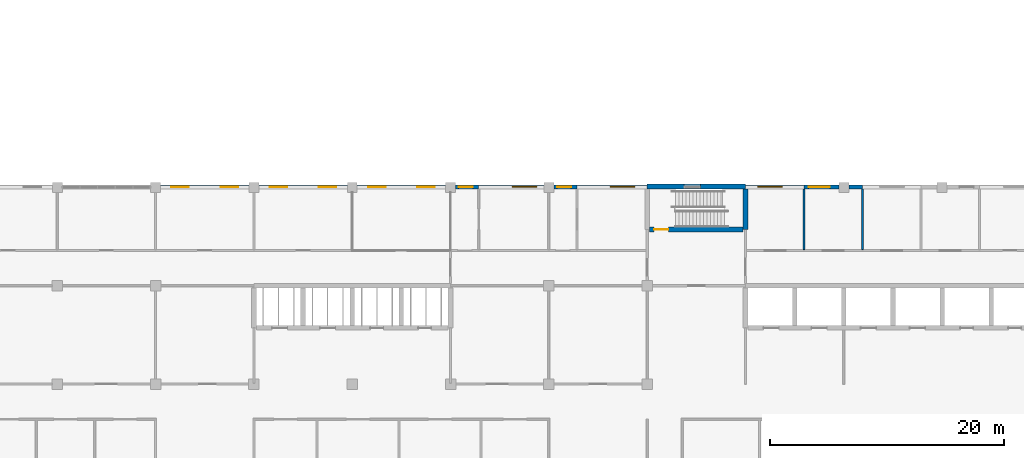
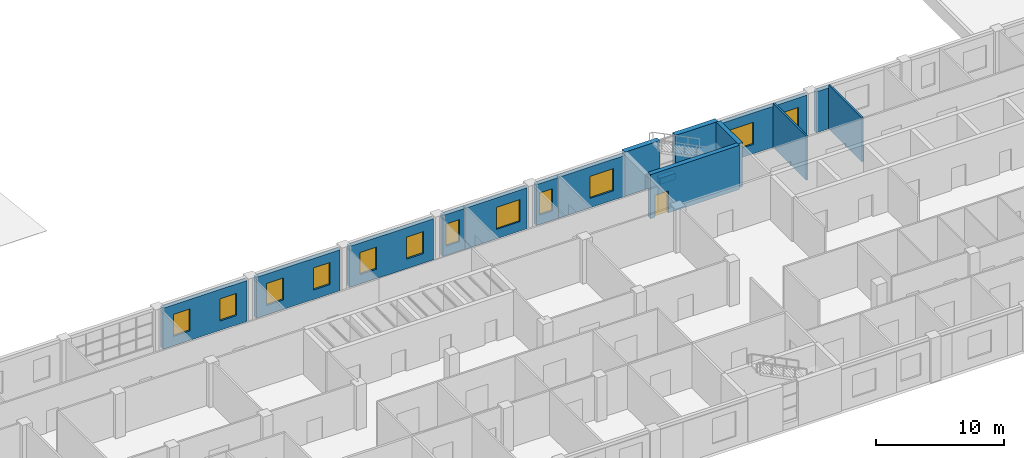
# One storey, part 41 of 66: 17 walls, 12 windows, 1 door, 13 openings.
"""IFC4 building model written with IfcOpenShell, lengths in metres."""

from ifc_helpers import new_model, si_unit, direction, frame, frame_2d, origin, place, context, subcontext, project, spatial, rectangle, extrude, material, layer, layer_set, type_object, element, fill, save


model = new_model("IFC4")

# Units and contexts
model_context = context("Model", 3, precision=1e-05, world=origin(), true_north=direction((0.0, 1.0)))
body_context = subcontext(model_context, "Body", "Model", "MODEL_VIEW")
ifc_project = project(units=[si_unit("LENGTHUNIT", "METRE"), si_unit("AREAUNIT", "SQUARE_METRE"), si_unit("VOLUMEUNIT", "CUBIC_METRE"), si_unit("PLANEANGLEUNIT", "RADIAN"), si_unit("MASSUNIT", "GRAM", prefix="KILO")], contexts=[model_context])

# Site, building, storey
site_placement = place(None, origin())
site = spatial("IfcSite", under=ifc_project, at=site_placement, CompositionType="ELEMENT")
building_placement = place(site_placement, origin())
building = spatial("IfcBuilding", under=site, at=building_placement, Name="Yavir Park General Hospital", CompositionType="ELEMENT")
storey_placement = place(building_placement, frame((0.0, 0.0, 8.39990234375)))
storey = spatial("IfcBuildingStorey", under=building, at=storey_placement, Name="L02", CompositionType="ELEMENT", Elevation=8.39990234375)

# Walls
ifc_material_1 = material(Name="Gypsum board partition on steel studs", Category="steel")
ifc_layer_1 = layer(ifc_material_1, 0.14990234375)
ifc_layer_set_1 = layer_set([ifc_layer_1], Name="Gypsum board partition on steel studs")
wall_type_1 = type_object("IfcWallType", Name="Gypsum board partition 150", PredefinedType="PARTITIONING", material=ifc_layer_set_1)
for number, where, z_axis, x_axis, name in (
    (1, (122.60009765625, 28.27490234375, 0.0), (0.0, 0.0, 1.0), (0.0, 1.0, 0.0), "P15 L02-296"),
    (2, (127.60009765625, 28.27490234375, 0.0), (0.0, 0.0, 1.0), (0.0, 1.0, 0.0), "P15 L02-301"),
):
    element("IfcWall", number, at=place(storey_placement, frame(where, z_axis=z_axis, x_axis=x_axis)), inside=storey, type_object=wall_type_1, Name=name, PredefinedType="PARTITIONING", context=body_context, shape_type="SweptSolid", body=[
        extrude(rectangle(XDim=5.175048828125, YDim=0.14990234375, at=frame_2d((2.58740234375, 0.0))), origin(), (0.0, 0.0, 1.0), 4.2001953125),
    ])

# Wall, openings, windows
ifc_material_2 = material(Name="Autoclaved aerated block, 150 mm mineral wool and sand-coloured mineral render")
ifc_layer_2 = layer(ifc_material_2, 0.375)
ifc_layer_set_2 = layer_set([ifc_layer_2], Name="Autoclaved aerated block, 150 mm mineral wool and sand-coloured mineral render")
wall_type_2 = type_object("IfcWallType", Name="Mineral render clinical wall 375, E 30", PredefinedType="SOLIDWALL", material=ifc_layer_set_2)
wall_1_placement = place(storey_placement, frame((67.625, 33.637451171875, 0.0), z_axis=(0.0, 0.0, 1.0), x_axis=(1.0, 0.0, 0.0)))
wall_1 = element("IfcWall", 3, at=wall_1_placement, inside=storey, type_object=wall_type_2, Name="XW1 L02-053", PredefinedType="SOLIDWALL", context=body_context, shape_type="SweptSolid", body=[
    extrude(rectangle(XDim=7.550048828125, YDim=0.375, at=frame_2d((3.77490234375, 0.0))), origin(), (0.0, 0.0, 1.0), 3.900146484375),
])
opening_1_placement = place(wall_1_placement, frame((0.925048828125, 0.0, 0.89990234375)))
opening_1 = element("IfcOpeningElement", 4, at=opening_1_placement, cuts=wall_1, Name="Opening WC2", PredefinedType="OPENING", context=body_context, shape_type="SweptSolid", body=[
    extrude(rectangle(XDim=1.5, YDim=2.10009765625, at=frame_2d((0.75, 1.050048828125))), frame((0.0, 0.197509765625, 0.0), z_axis=(0.0, -1.0, 0.0), x_axis=(1.0, 0.0, 0.0)), (0.0, 0.0, 1.0), 0.39501953125),
])
opening_2_placement = place(wall_1_placement, frame((5.125, 0.0, 0.89990234375)))
opening_2 = element("IfcOpeningElement", 5, at=opening_2_placement, cuts=wall_1, Name="Opening WC2", PredefinedType="OPENING", context=body_context, shape_type="SweptSolid", body=[
    extrude(rectangle(XDim=1.5, YDim=2.10009765625, at=frame_2d((0.75, 1.050048828125))), frame((0.0, 0.197509765625, 0.0), z_axis=(0.0, -1.0, 0.0), x_axis=(1.0, 0.0, 0.0)), (0.0, 0.0, 1.0), 0.39501953125),
])
ifc_material_3 = material(Name="Aluminium frame, double glazed unit", Category="aluminium")
window_type_1 = type_object("IfcWindowType", Name="Tall consulting room window 1500 x 2100", PartitioningType="SINGLE_PANEL", PredefinedType="WINDOW", material=ifc_material_3)
window_1_placement = place(opening_1_placement, origin())
window_1 = element("IfcWindow", 6, at=window_1_placement, inside=storey, type_object=window_type_1, Name="WC2 L02-026", OverallHeight=2.10009765625, OverallWidth=1.5, PartitioningType="SINGLE_PANEL", PredefinedType="WINDOW", context=body_context, shape_type="SweptSolid", body=[
    extrude(rectangle(XDim=1.5, YDim=2.10009765625, at=frame_2d((0.75, 1.050048828125))), frame((0.0, 0.030029296875, 0.0), z_axis=(0.0, -1.0, 0.0), x_axis=(1.0, 0.0, 0.0)), (0.0, 0.0, 1.0), 0.06005859375),
])
fill(opening_1, window_1)
window_2_placement = place(opening_2_placement, origin())
window_2 = element("IfcWindow", 7, at=window_2_placement, inside=storey, type_object=window_type_1, Name="WC2 L02-027", OverallHeight=2.10009765625, OverallWidth=1.5, PartitioningType="SINGLE_PANEL", PredefinedType="WINDOW", context=body_context, shape_type="SweptSolid", body=[
    extrude(rectangle(XDim=1.5, YDim=2.10009765625, at=frame_2d((0.75, 1.050048828125))), frame((0.0, 0.030029296875, 0.0), z_axis=(0.0, -1.0, 0.0), x_axis=(1.0, 0.0, 0.0)), (0.0, 0.0, 1.0), 0.06005859375),
])
fill(opening_2, window_2)

wall_2_placement = place(storey_placement, frame((76.02490234375, 33.637451171875, 0.0), z_axis=(0.0, 0.0, 1.0), x_axis=(1.0, 0.0, 0.0)))
wall_2 = element("IfcWall", 8, at=wall_2_placement, inside=storey, type_object=wall_type_2, Name="XW1 L02-054", PredefinedType="SOLIDWALL", context=body_context, shape_type="SweptSolid", body=[
    extrude(rectangle(XDim=7.550048828125, YDim=0.375, at=frame_2d((3.77490234375, 0.0))), origin(), (0.0, 0.0, 1.0), 3.900146484375),
])
opening_3_placement = place(wall_2_placement, frame((0.925048828125, 0.0, 0.89990234375)))
opening_3 = element("IfcOpeningElement", 9, at=opening_3_placement, cuts=wall_2, Name="Opening WC2", PredefinedType="OPENING", context=body_context, shape_type="SweptSolid", body=[
    extrude(rectangle(XDim=1.5, YDim=2.10009765625, at=frame_2d((0.75, 1.050048828125))), frame((0.0, 0.197509765625, 0.0), z_axis=(0.0, -1.0, 0.0), x_axis=(1.0, 0.0, 0.0)), (0.0, 0.0, 1.0), 0.39501953125),
])
opening_4_placement = place(wall_2_placement, frame((5.125, 0.0, 0.89990234375)))
opening_4 = element("IfcOpeningElement", 10, at=opening_4_placement, cuts=wall_2, Name="Opening WC2", PredefinedType="OPENING", context=body_context, shape_type="SweptSolid", body=[
    extrude(rectangle(XDim=1.5, YDim=2.10009765625, at=frame_2d((0.75, 1.050048828125))), frame((0.0, 0.197509765625, 0.0), z_axis=(0.0, -1.0, 0.0), x_axis=(1.0, 0.0, 0.0)), (0.0, 0.0, 1.0), 0.39501953125),
])
window_3_placement = place(opening_3_placement, origin())
window_3 = element("IfcWindow", 11, at=window_3_placement, inside=storey, type_object=window_type_1, Name="WC2 L02-028", OverallHeight=2.10009765625, OverallWidth=1.5, PartitioningType="SINGLE_PANEL", PredefinedType="WINDOW", context=body_context, shape_type="SweptSolid", body=[
    extrude(rectangle(XDim=1.5, YDim=2.10009765625, at=frame_2d((0.75, 1.050048828125))), frame((0.0, 0.030029296875, 0.0), z_axis=(0.0, -1.0, 0.0), x_axis=(1.0, 0.0, 0.0)), (0.0, 0.0, 1.0), 0.06005859375),
])
fill(opening_3, window_3)
window_4_placement = place(opening_4_placement, origin())
window_4 = element("IfcWindow", 12, at=window_4_placement, inside=storey, type_object=window_type_1, Name="WC2 L02-029", OverallHeight=2.10009765625, OverallWidth=1.5, PartitioningType="SINGLE_PANEL", PredefinedType="WINDOW", context=body_context, shape_type="SweptSolid", body=[
    extrude(rectangle(XDim=1.5, YDim=2.10009765625, at=frame_2d((0.75, 1.050048828125))), frame((0.0, 0.030029296875, 0.0), z_axis=(0.0, -1.0, 0.0), x_axis=(1.0, 0.0, 0.0)), (0.0, 0.0, 1.0), 0.06005859375),
])
fill(opening_4, window_4)

wall_3_placement = place(storey_placement, frame((84.425048828125, 33.637451171875, 0.0), z_axis=(0.0, 0.0, 1.0), x_axis=(1.0, 0.0, 0.0)))
wall_3 = element("IfcWall", 13, at=wall_3_placement, inside=storey, type_object=wall_type_2, Name="XW1 L02-055", PredefinedType="SOLIDWALL", context=body_context, shape_type="SweptSolid", body=[
    extrude(rectangle(XDim=7.550048828125, YDim=0.375, at=frame_2d((3.77490234375, 0.0))), origin(), (0.0, 0.0, 1.0), 3.900146484375),
])
opening_5_placement = place(wall_3_placement, frame((0.925048828125, 0.0, 0.89990234375)))
opening_5 = element("IfcOpeningElement", 14, at=opening_5_placement, cuts=wall_3, Name="Opening WC2", PredefinedType="OPENING", context=body_context, shape_type="SweptSolid", body=[
    extrude(rectangle(XDim=1.5, YDim=2.10009765625, at=frame_2d((0.75, 1.050048828125))), frame((0.0, 0.197509765625, 0.0), z_axis=(0.0, -1.0, 0.0), x_axis=(1.0, 0.0, 0.0)), (0.0, 0.0, 1.0), 0.39501953125),
])
opening_6_placement = place(wall_3_placement, frame((5.125, 0.0, 0.89990234375)))
opening_6 = element("IfcOpeningElement", 15, at=opening_6_placement, cuts=wall_3, Name="Opening WC2", PredefinedType="OPENING", context=body_context, shape_type="SweptSolid", body=[
    extrude(rectangle(XDim=1.5, YDim=2.10009765625, at=frame_2d((0.75, 1.050048828125))), frame((0.0, 0.197509765625, 0.0), z_axis=(0.0, -1.0, 0.0), x_axis=(1.0, 0.0, 0.0)), (0.0, 0.0, 1.0), 0.39501953125),
])
window_5_placement = place(opening_5_placement, origin())
window_5 = element("IfcWindow", 16, at=window_5_placement, inside=storey, type_object=window_type_1, Name="WC2 L02-030", OverallHeight=2.10009765625, OverallWidth=1.5, PartitioningType="SINGLE_PANEL", PredefinedType="WINDOW", context=body_context, shape_type="SweptSolid", body=[
    extrude(rectangle(XDim=1.5, YDim=2.10009765625, at=frame_2d((0.75, 1.050048828125))), frame((0.0, 0.030029296875, 0.0), z_axis=(0.0, -1.0, 0.0), x_axis=(1.0, 0.0, 0.0)), (0.0, 0.0, 1.0), 0.06005859375),
])
fill(opening_5, window_5)
window_6_placement = place(opening_6_placement, origin())
window_6 = element("IfcWindow", 17, at=window_6_placement, inside=storey, type_object=window_type_1, Name="WC2 L02-031", OverallHeight=2.10009765625, OverallWidth=1.5, PartitioningType="SINGLE_PANEL", PredefinedType="WINDOW", context=body_context, shape_type="SweptSolid", body=[
    extrude(rectangle(XDim=1.5, YDim=2.10009765625, at=frame_2d((0.75, 1.050048828125))), frame((0.0, 0.030029296875, 0.0), z_axis=(0.0, -1.0, 0.0), x_axis=(1.0, 0.0, 0.0)), (0.0, 0.0, 1.0), 0.06005859375),
])
fill(opening_6, window_6)

# Wall, opening, window
wall_4_placement = place(storey_placement, frame((92.824951171875, 33.637451171875, 0.0), z_axis=(0.0, 0.0, 1.0), x_axis=(1.0, 0.0, 0.0)))
wall_4 = element("IfcWall", 18, at=wall_4_placement, inside=storey, type_object=wall_type_2, Name="XW1 L02-056", PredefinedType="SOLIDWALL", context=body_context, shape_type="SweptSolid", body=[
    extrude(rectangle(XDim=1.97509765625, YDim=0.375, at=frame_2d((0.987548828125, 0.0))), origin(), (0.0, 0.0, 1.0), 3.900146484375),
])
opening_7_placement = place(wall_4_placement, frame((0.27490234375, 0.0, 0.89990234375)))
opening_7 = element("IfcOpeningElement", 19, at=opening_7_placement, cuts=wall_4, Name="Opening WD2", PredefinedType="OPENING", context=body_context, shape_type="SweptSolid", body=[
    extrude(rectangle(XDim=1.199951171875, YDim=2.10009765625, at=frame_2d((0.60009765625, 1.050048828125))), frame((0.0, 0.197509765625, 0.0), z_axis=(0.0, -1.0, 0.0), x_axis=(1.0, 0.0, 0.0)), (0.0, 0.0, 1.0), 0.39501953125),
])
ifc_material_4 = material(Name="Aluminium frame, double glazed unit", Category="aluminium")
window_type_2 = type_object("IfcWindowType", Name="Tall office window 1200 x 2100", PartitioningType="SINGLE_PANEL", PredefinedType="WINDOW", material=ifc_material_4)
window_7_placement = place(opening_7_placement, origin())
window_7 = element("IfcWindow", 20, at=window_7_placement, inside=storey, type_object=window_type_2, Name="WD2 L02-032", OverallHeight=2.10009765625, OverallWidth=1.199951171875, PartitioningType="SINGLE_PANEL", PredefinedType="WINDOW", context=body_context, shape_type="SweptSolid", body=[
    extrude(rectangle(XDim=1.199951171875, YDim=2.10009765625, at=frame_2d((0.60009765625, 1.050048828125))), frame((0.0, 0.030029296875, 0.0), z_axis=(0.0, -1.0, 0.0), x_axis=(1.0, 0.0, 0.0)), (0.0, 0.0, 1.0), 0.06005859375),
])
fill(opening_7, window_7)

wall_5_placement = place(storey_placement, frame((94.800048828125, 33.637451171875, 0.0), z_axis=(0.0, 0.0, 1.0), x_axis=(1.0, 0.0, 0.0)))
wall_5 = element("IfcWall", 21, at=wall_5_placement, inside=storey, type_object=wall_type_2, Name="XW1 L02-057", PredefinedType="SOLIDWALL", context=body_context, shape_type="SweptSolid", body=[
    extrude(rectangle(XDim=5.574951171875, YDim=0.375, at=frame_2d((2.78759765625, 0.0))), origin(), (0.0, 0.0, 1.0), 3.900146484375),
])
opening_8_placement = place(wall_5_placement, frame((2.85009765625, 0.0, 0.89990234375)))
opening_8 = element("IfcOpeningElement", 22, at=opening_8_placement, cuts=wall_5, Name="Opening WI2", PredefinedType="OPENING", context=body_context, shape_type="SweptSolid", body=[
    extrude(rectangle(XDim=2.10009765625, YDim=2.10009765625, at=frame_2d((1.050048828125, 1.050048828125))), frame((0.0, 0.197509765625, 0.0), z_axis=(0.0, -1.0, 0.0), x_axis=(1.0, 0.0, 0.0)), (0.0, 0.0, 1.0), 0.39501953125),
])
ifc_material_5 = material(Name="Aluminium frame, acoustic glazed unit", Category="aluminium")
window_type_3 = type_object("IfcWindowType", Name="Tall acoustic glazed window 2100 x 2100", PartitioningType="SINGLE_PANEL", PredefinedType="WINDOW", material=ifc_material_5)
window_8_placement = place(opening_8_placement, origin())
window_8 = element("IfcWindow", 23, at=window_8_placement, inside=storey, type_object=window_type_3, Name="WI2 L02-033", OverallHeight=2.10009765625, OverallWidth=2.10009765625, PartitioningType="SINGLE_PANEL", PredefinedType="WINDOW", context=body_context, shape_type="SweptSolid", body=[
    extrude(rectangle(XDim=2.10009765625, YDim=2.10009765625, at=frame_2d((1.050048828125, 1.050048828125))), frame((0.0, 0.044921875, 0.0), z_axis=(0.0, -1.0, 0.0), x_axis=(1.0, 0.0, 0.0)), (0.0, 0.0, 1.0), 0.090087890625),
])
fill(opening_8, window_8)

wall_6_placement = place(storey_placement, frame((101.22509765625, 33.637451171875, 0.0), z_axis=(0.0, 0.0, 1.0), x_axis=(1.0, 0.0, 0.0)))
wall_6 = element("IfcWall", 24, at=wall_6_placement, inside=storey, type_object=wall_type_2, Name="XW1 L02-058", PredefinedType="SOLIDWALL", context=body_context, shape_type="SweptSolid", body=[
    extrude(rectangle(XDim=1.974853515625, YDim=0.375, at=frame_2d((0.9873046875, 0.0))), origin(), (0.0, 0.0, 1.0), 3.900146484375),
])
opening_9_placement = place(wall_6_placement, frame((0.27490234375, 0.0, 0.89990234375)))
opening_9 = element("IfcOpeningElement", 25, at=opening_9_placement, cuts=wall_6, Name="Opening WD2", PredefinedType="OPENING", context=body_context, shape_type="SweptSolid", body=[
    extrude(rectangle(XDim=1.199951171875, YDim=2.10009765625, at=frame_2d((0.60009765625, 1.050048828125))), frame((0.0, 0.197509765625, 0.0), z_axis=(0.0, -1.0, 0.0), x_axis=(1.0, 0.0, 0.0)), (0.0, 0.0, 1.0), 0.39501953125),
])
window_9_placement = place(opening_9_placement, origin())
window_9 = element("IfcWindow", 26, at=window_9_placement, inside=storey, type_object=window_type_2, Name="WD2 L02-034", OverallHeight=2.10009765625, OverallWidth=1.199951171875, PartitioningType="SINGLE_PANEL", PredefinedType="WINDOW", context=body_context, shape_type="SweptSolid", body=[
    extrude(rectangle(XDim=1.199951171875, YDim=2.10009765625, at=frame_2d((0.60009765625, 1.050048828125))), frame((0.0, 0.030029296875, 0.0), z_axis=(0.0, -1.0, 0.0), x_axis=(1.0, 0.0, 0.0)), (0.0, 0.0, 1.0), 0.06005859375),
])
fill(opening_9, window_9)

wall_7_placement = place(storey_placement, frame((103.199951171875, 33.637451171875, 0.0), z_axis=(0.0, 0.0, 1.0), x_axis=(1.0, 0.0, 0.0)))
wall_7 = element("IfcWall", 27, at=wall_7_placement, inside=storey, type_object=wall_type_2, Name="XW1 L02-059", PredefinedType="SOLIDWALL", context=body_context, shape_type="SweptSolid", body=[
    extrude(rectangle(XDim=6.0, YDim=0.375, at=frame_2d((3.0, 0.0))), origin(), (0.0, 0.0, 1.0), 3.900146484375),
])
opening_10_placement = place(wall_7_placement, frame((2.85009765625, 0.0, 0.89990234375)))
opening_10 = element("IfcOpeningElement", 28, at=opening_10_placement, cuts=wall_7, Name="Opening WI2", PredefinedType="OPENING", context=body_context, shape_type="SweptSolid", body=[
    extrude(rectangle(XDim=2.10009765625, YDim=2.10009765625, at=frame_2d((1.050048828125, 1.050048828125))), frame((0.0, 0.197509765625, 0.0), z_axis=(0.0, -1.0, 0.0), x_axis=(1.0, 0.0, 0.0)), (0.0, 0.0, 1.0), 0.39501953125),
])
window_10_placement = place(opening_10_placement, origin())
window_10 = element("IfcWindow", 29, at=window_10_placement, inside=storey, type_object=window_type_3, Name="WI2 L02-035", OverallHeight=2.10009765625, OverallWidth=2.10009765625, PartitioningType="SINGLE_PANEL", PredefinedType="WINDOW", context=body_context, shape_type="SweptSolid", body=[
    extrude(rectangle(XDim=2.10009765625, YDim=2.10009765625, at=frame_2d((1.050048828125, 1.050048828125))), frame((0.0, 0.044921875, 0.0), z_axis=(0.0, -1.0, 0.0), x_axis=(1.0, 0.0, 0.0)), (0.0, 0.0, 1.0), 0.090087890625),
])
fill(opening_10, window_10)

wall_8_placement = place(storey_placement, frame((117.60009765625, 33.637451171875, 0.0), z_axis=(0.0, 0.0, 1.0), x_axis=(1.0, 0.0, 0.0)))
wall_8 = element("IfcWall", 30, at=wall_8_placement, inside=storey, type_object=wall_type_2, Name="XW1 L02-063", PredefinedType="SOLIDWALL", context=body_context, shape_type="SweptSolid", body=[
    extrude(rectangle(XDim=5.0, YDim=0.375, at=frame_2d((2.5, 0.0))), origin(), (0.0, 0.0, 1.0), 3.900146484375),
])
opening_11_placement = place(wall_8_placement, frame((1.050048828125, 0.0, 0.89990234375)))
opening_11 = element("IfcOpeningElement", 31, at=opening_11_placement, cuts=wall_8, Name="Opening WI2", PredefinedType="OPENING", context=body_context, shape_type="SweptSolid", body=[
    extrude(rectangle(XDim=2.10009765625, YDim=2.10009765625, at=frame_2d((1.050048828125, 1.050048828125))), frame((0.0, 0.197509765625, 0.0), z_axis=(0.0, -1.0, 0.0), x_axis=(1.0, 0.0, 0.0)), (0.0, 0.0, 1.0), 0.39501953125),
])
window_11_placement = place(opening_11_placement, origin())
window_11 = element("IfcWindow", 32, at=window_11_placement, inside=storey, type_object=window_type_3, Name="WI2 L02-036", OverallHeight=2.10009765625, OverallWidth=2.10009765625, PartitioningType="SINGLE_PANEL", PredefinedType="WINDOW", context=body_context, shape_type="SweptSolid", body=[
    extrude(rectangle(XDim=2.10009765625, YDim=2.10009765625, at=frame_2d((1.050048828125, 1.050048828125))), frame((0.0, 0.044921875, 0.0), z_axis=(0.0, -1.0, 0.0), x_axis=(1.0, 0.0, 0.0)), (0.0, 0.0, 1.0), 0.090087890625),
])
fill(opening_11, window_11)

wall_9_placement = place(storey_placement, frame((122.60009765625, 33.637451171875, 0.0), z_axis=(0.0, 0.0, 1.0), x_axis=(1.0, 0.0, 0.0)))
wall_9 = element("IfcWall", 33, at=wall_9_placement, inside=storey, type_object=wall_type_2, Name="XW1 L02-064", PredefinedType="SOLIDWALL", context=body_context, shape_type="SweptSolid", body=[
    extrude(rectangle(XDim=2.974853515625, YDim=0.375, at=frame_2d((1.4873046875, 0.0))), origin(), (0.0, 0.0, 1.0), 3.900146484375),
])
opening_12_placement = place(wall_9_placement, frame((0.39990234375, 0.0, 0.89990234375)))
opening_12 = element("IfcOpeningElement", 34, at=opening_12_placement, cuts=wall_9, Name="Opening WG2", PredefinedType="OPENING", context=body_context, shape_type="SweptSolid", body=[
    extrude(rectangle(XDim=1.800048828125, YDim=2.10009765625, at=frame_2d((0.89990234375, 1.050048828125))), frame((0.0, 0.197509765625, 0.0), z_axis=(0.0, -1.0, 0.0), x_axis=(1.0, 0.0, 0.0)), (0.0, 0.0, 1.0), 0.39501953125),
])
ifc_material_6 = material(Name="Aluminium frame, double glazed unit", Category="aluminium")
window_type_4 = type_object("IfcWindowType", Name="Tall single-bay window 1800 x 2100", PartitioningType="DOUBLE_PANEL_VERTICAL", PredefinedType="WINDOW", material=ifc_material_6)
window_12_placement = place(opening_12_placement, origin())
window_12 = element("IfcWindow", 35, at=window_12_placement, inside=storey, type_object=window_type_4, Name="WG2 L02-037", OverallHeight=2.10009765625, OverallWidth=1.800048828125, PartitioningType="DOUBLE_PANEL_VERTICAL", PredefinedType="WINDOW", context=body_context, shape_type="SweptSolid", body=[
    extrude(rectangle(XDim=1.800048828125, YDim=2.10009765625, at=frame_2d((0.89990234375, 1.050048828125))), frame((0.0, 0.030029296875, 0.0), z_axis=(0.0, -1.0, 0.0), x_axis=(1.0, 0.0, 0.0)), (0.0, 0.0, 1.0), 0.06005859375),
])
fill(opening_12, window_12)

# Wall
wall_10_placement = place(storey_placement, frame((126.425048828125, 33.637451171875, 0.0), z_axis=(0.0, 0.0, 1.0), x_axis=(1.0, 0.0, 0.0)))
element("IfcWall", 36, at=wall_10_placement, inside=storey, type_object=wall_type_2, Name="XW1 L02-065", PredefinedType="SOLIDWALL", context=body_context, shape_type="SweptSolid", body=[
    extrude(rectangle(XDim=1.175048828125, YDim=0.375, at=frame_2d((0.58740234375, 0.0))), origin(), (0.0, 0.0, 1.0), 3.900146484375),
])

# Wall, opening, door
ifc_material_7 = material(Name="Concrete C35/45", Category="concrete")
ifc_layer_3 = layer(ifc_material_7, 0.39990234375)
ifc_layer_set_3 = layer_set([ifc_layer_3], Name="Concrete C35/45")
wall_type_3 = type_object("IfcWallType", Name="Reinforced concrete core wall 400, REI 150", PredefinedType="SHEAR", material=ifc_layer_set_3)
wall_11_placement = place(storey_placement, frame((109.39990234375, 30.0, 0.0), z_axis=(0.0, 0.0, 1.0), x_axis=(1.0, 0.0, 0.0)))
wall_11 = element("IfcWall", 37, at=wall_11_placement, inside=storey, type_object=wall_type_3, Name="CW40 L02-080", PredefinedType="SHEAR", context=body_context, shape_type="SweptSolid", body=[
    extrude(rectangle(XDim=8.0, YDim=0.39990234375, at=frame_2d((4.0, 0.0))), origin(), (0.0, 0.0, 1.0), 4.2001953125),
])
opening_13_placement = place(wall_11_placement, frame((0.39990234375, 0.0, 0.0)))
opening_13 = element("IfcOpeningElement", 38, at=opening_13_placement, cuts=wall_11, Name="Opening L02.D100", PredefinedType="OPENING", context=body_context, shape_type="SweptSolid", body=[
    extrude(rectangle(XDim=1.199951171875, YDim=2.10009765625, at=frame_2d((0.60009765625, 1.050048828125))), frame((0.0, 0.2099609375, 0.0), z_axis=(0.0, -1.0, 0.0), x_axis=(1.0, 0.0, 0.0)), (0.0, 0.0, 1.0), 0.419921875),
])
ifc_material_8 = material(Name="Steel frame, fire-resisting timber leaf", Category="steel")
door_type = type_object("IfcDoorType", Name="Fire door 1200 x 2100, EI 60", OperationType="SINGLE_SWING_LEFT", PredefinedType="DOOR", material=ifc_material_8)
door_placement = place(opening_13_placement, origin())
door = element("IfcDoor", 39, at=door_placement, inside=storey, type_object=door_type, Name="L02.D100", OperationType="SINGLE_SWING_RIGHT", OverallHeight=2.10009765625, OverallWidth=1.199951171875, PredefinedType="DOOR", context=body_context, shape_type="SweptSolid", body=[
    extrude(rectangle(XDim=1.199951171875, YDim=2.10009765625, at=frame_2d((0.60009765625, 1.050048828125))), frame((0.0, 0.02490234375, 0.0), z_axis=(0.0, -1.0, 0.0), x_axis=(1.0, 0.0, 0.0)), (0.0, 0.0, 1.0), 0.050048828125),
])
fill(opening_13, door)

# Walls
wall_12_placement = place(storey_placement, frame((117.60009765625, 30.0, 0.0), z_axis=(0.0, 0.0, 1.0), x_axis=(0.0, 1.0, 0.0)))
element("IfcWall", 40, at=wall_12_placement, inside=storey, type_object=wall_type_3, Name="CW40 L02-291", PredefinedType="SHEAR", context=body_context, shape_type="SweptSolid", body=[
    extrude(rectangle(XDim=3.449951171875, YDim=0.39990234375, at=frame_2d((1.72509765625, 0.0))), origin(), (0.0, 0.0, 1.0), 4.2001953125),
])
ifc_material_9 = material(Name="Concrete C30/37 precast panel with 150 mm mineral wool insulation", Category="concrete")
ifc_layer_4 = layer(ifc_material_9, 0.449951171875)
ifc_layer_set_4 = layer_set([ifc_layer_4], Name="Concrete C30/37 precast panel with 150 mm mineral wool insulation")
wall_type_4 = type_object("IfcWallType", Name="Stair enclosure wall 450, REI 150", PredefinedType="SOLIDWALL", material=ifc_layer_set_4)
wall_13_placement = place(storey_placement, frame((109.199951171875, 33.675048828125, 0.0), z_axis=(0.0, 0.0, 1.0), x_axis=(1.0, 0.0, 0.0)))
element("IfcWall", 41, at=wall_13_placement, inside=storey, type_object=wall_type_4, Name="XW6 L02-060", PredefinedType="SOLIDWALL", context=body_context, shape_type="SweptSolid", body=[
    extrude(rectangle(XDim=3.150146484375, YDim=0.449951171875, at=frame_2d((1.5751953125, 0.0))), origin(), (0.0, 0.0, 1.0), 4.2001953125),
])
wall_14_placement = place(storey_placement, frame((113.75, 33.675048828125, 0.0), z_axis=(0.0, 0.0, 1.0), x_axis=(1.0, 0.0, 0.0)))
element("IfcWall", 42, at=wall_14_placement, inside=storey, type_object=wall_type_4, Name="XW6 L02-061", PredefinedType="SOLIDWALL", context=body_context, shape_type="SweptSolid", body=[
    extrude(rectangle(XDim=3.85009765625, YDim=0.449951171875, at=frame_2d((1.925048828125, 0.0))), origin(), (0.0, 0.0, 1.0), 4.2001953125),
])
wall_15_placement = place(storey_placement, frame((112.35009765625, 33.675048828125, 0.0), z_axis=(0.0, 0.0, 1.0), x_axis=(1.0, 0.0, 0.0)))
element("IfcWall", 43, at=wall_15_placement, inside=storey, type_object=wall_type_4, Name="XW6 L02-062", PredefinedType="SOLIDWALL", context=body_context, shape_type="SweptSolid", body=[
    extrude(rectangle(XDim=1.39990234375, YDim=0.449951171875, at=frame_2d((0.699951171875, 0.0))), origin(), (0.0, 0.0, 1.0), 0.60009765625),
])

save(model, "model.ifc")
